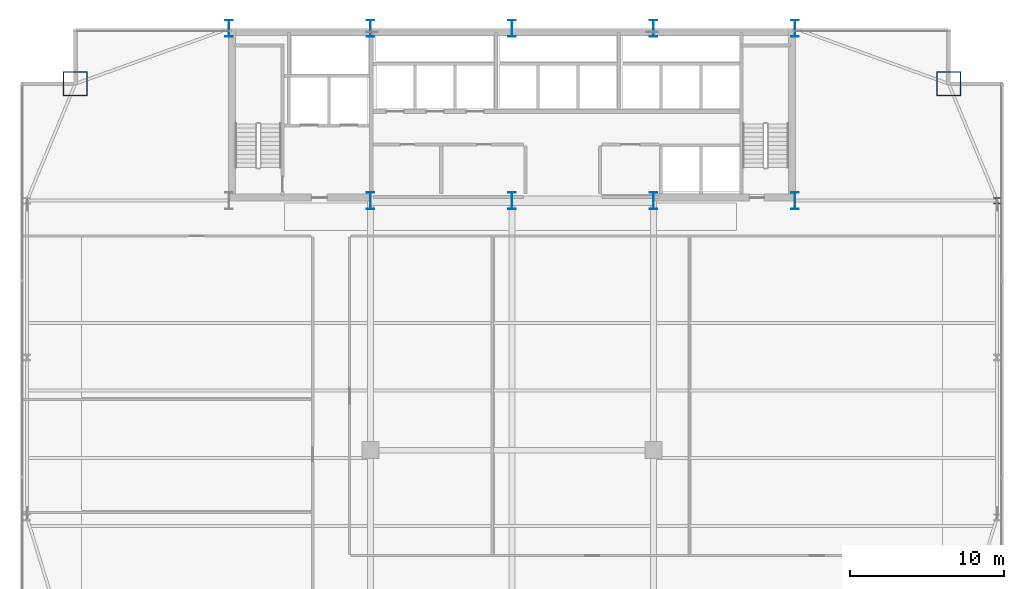
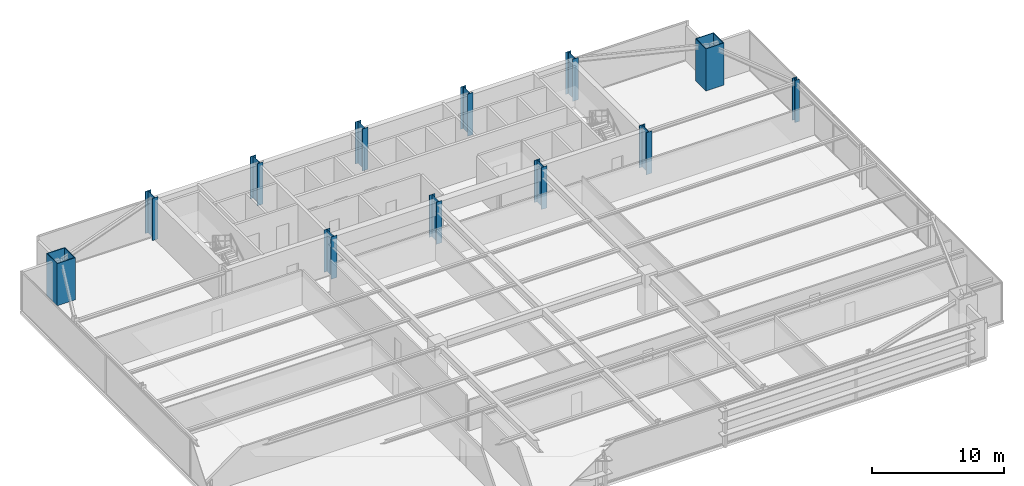
# One storey, part 2 of 32: 12 columns.
"""IFC4 building model written with IfcOpenShell, lengths in metres."""

from ifc_helpers import new_model, si_unit, direction, frame, origin, origin_2d, place, context, subcontext, project, spatial, hollow_rectangle, i_section, extrude, source, transform, mapped, material, material_profile, profile_set, type_object, type_shapes, element, save


model = new_model("IFC4")

# Units and contexts
model_context = context("Model", 3, precision=1e-05, world=origin(), true_north=direction((0.0, 1.0)))
body_context = subcontext(model_context, "Body", "Model", "MODEL_VIEW")
ifc_project = project(units=[si_unit("LENGTHUNIT", "METRE"), si_unit("AREAUNIT", "SQUARE_METRE"), si_unit("VOLUMEUNIT", "CUBIC_METRE"), si_unit("PLANEANGLEUNIT", "RADIAN"), si_unit("MASSUNIT", "GRAM", prefix="KILO")], contexts=[model_context])

# Site, building, storey
site_placement = place(None, origin())
site = spatial("IfcSite", under=ifc_project, at=site_placement, CompositionType="ELEMENT")
building_placement = place(site_placement, origin())
building = spatial("IfcBuilding", under=site, at=building_placement, Name="Varnel Quay Broadcast Tower", CompositionType="ELEMENT")
storey_placement = place(building_placement, frame((0.0, 0.0, 54.89990234375)))
storey = spatial("IfcBuildingStorey", under=building, at=storey_placement, Name="L12", CompositionType="ELEMENT", Elevation=54.89990234375)

# Columns
ifc_material_1 = material(Name="Structural Steel CSA G40.21 350WT", Category="steel")
ifc_material_profile_1 = material_profile(ifc_material_1, i_section(OverallWidth=0.5, OverallDepth=1.10009765625, WebThickness=0.01806640625, FlangeThickness=0.031982421875, FilletRadius=0.01806640625, at=origin_2d()), Name="WWF1100X418")
ifc_profile_set_1 = profile_set([ifc_material_profile_1], Name="Structural Steel CSA G40.21 350WT")
column_type_1 = type_object("IfcColumnType", Name="Col_WWF1100X418", PredefinedType="COLUMN", material=ifc_profile_set_1)
shared_shape_1 = source(origin(), body_context, "Body", "SweptSolid", [
    extrude(i_section(OverallWidth=0.5, OverallDepth=1.10009765625, WebThickness=0.01806640625, FlangeThickness=0.031982421875, FilletRadius=0.01806640625, at=origin_2d()), origin(), (0.0, 0.0, 1.0), 3.900146484375),
])
type_shapes(column_type_1, [shared_shape_1])
for number, where, z_axis, x_axis, name in (
    (1, (15.60009765625, 46.800048828125, 0.0), (0.0, 0.0, 1.0), (1.0, 0.0, 0.0), "L12 Column CC-N1"),
    (2, (24.800048828125, 35.60009765625, 0.0), (0.0, 0.0, 1.0), (1.0, 0.0, 0.0), "L12 Column CC-S2"),
    (3, (24.800048828125, 46.800048828125, 0.0), (0.0, 0.0, 1.0), (1.0, 0.0, 0.0), "L12 Column CC-N2"),
    (4, (34.0, 35.60009765625, 0.0), (0.0, 0.0, 1.0), (1.0, 0.0, 0.0), "L12 Column CC-S3"),
    (5, (34.0, 46.800048828125, 0.0), (0.0, 0.0, 1.0), (1.0, 0.0, 0.0), "L12 Column CC-N3"),
    (6, (43.199951171875, 35.60009765625, 0.0), (0.0, 0.0, 1.0), (1.0, 0.0, 0.0), "L12 Column CC-S4"),
    (7, (43.199951171875, 46.800048828125, 0.0), (0.0, 0.0, 1.0), (1.0, 0.0, 0.0), "L12 Column CC-N4"),
    (8, (52.39990234375, 35.60009765625, 0.0), (0.0, 0.0, 1.0), (1.0, 0.0, 0.0), "L12 Column CC-S5"),
    (9, (52.39990234375, 46.800048828125, 0.0), (0.0, 0.0, 1.0), (1.0, 0.0, 0.0), "L12 Column CC-N5"),
):
    element("IfcColumn", number, at=place(storey_placement, frame(where, z_axis=z_axis, x_axis=x_axis)), inside=storey, type_object=column_type_1, Name=name, PredefinedType="COLUMN", context=body_context, shape_type="MappedRepresentation", body=[
        mapped(shared_shape_1, transform((0.0, 0.0, 0.0), x_axis=(1.0, 0.0, 0.0), y_axis=(0.0, 1.0, 0.0), z_axis=(0.0, 0.0, 1.0), scale=1.0)),
    ])
ifc_material_profile_2 = material_profile(ifc_material_1, hollow_rectangle(XDim=1.60009765625, YDim=1.60009765625, WallThickness=0.06005859375, at=origin_2d()), Name="BOX1600X1600X60")
ifc_profile_set_2 = profile_set([ifc_material_profile_2], Name="Structural Steel CSA G40.21 350WT")
column_type_2 = type_object("IfcColumnType", Name="Col_BOX1600X1600X60", PredefinedType="COLUMN", material=ifc_profile_set_2)
shared_shape_2 = source(origin(), body_context, "Body", "SweptSolid", [
    extrude(hollow_rectangle(XDim=1.60009765625, YDim=1.60009765625, WallThickness=0.06005859375, at=origin_2d()), origin(), (0.0, 0.0, 1.0), 3.900146484375),
])
type_shapes(column_type_2, [shared_shape_2])
for number, where, z_axis, x_axis, name in (
    (10, (62.39990234375, 43.199951171875, 0.0), (0.0, 0.0, 1.0), (1.0, 0.0, 0.0), "L12 Column MC-NE"),
    (11, (5.60009765625, 43.199951171875, 0.0), (0.0, 0.0, 1.0), (1.0, 0.0, 0.0), "L12 Column MC-NW"),
):
    element("IfcColumn", number, at=place(storey_placement, frame(where, z_axis=z_axis, x_axis=x_axis)), inside=storey, type_object=column_type_2, Name=name, PredefinedType="COLUMN", context=body_context, shape_type="MappedRepresentation", body=[
        mapped(shared_shape_2, transform((0.0, 0.0, 0.0), x_axis=(1.0, 0.0, 0.0), y_axis=(0.0, 1.0, 0.0), z_axis=(0.0, 0.0, 1.0), scale=1.0)),
    ])
ifc_material_2 = material(Name="Structural Steel CSA G40.21 350W", Category="steel")
ifc_material_profile_3 = material_profile(ifc_material_2, i_section(OverallWidth=0.404052734375, OverallDepth=0.406982421875, WebThickness=0.027099609375, FlangeThickness=0.043701171875, FilletRadius=0.01806640625, at=origin_2d()), Name="W360X347")
ifc_profile_set_3 = profile_set([ifc_material_profile_3], Name="Structural Steel CSA G40.21 350W")
column_type_3 = type_object("IfcColumnType", Name="Col_W360X347", PredefinedType="COLUMN", material=ifc_profile_set_3)
shared_shape_3 = source(origin(), body_context, "Body", "SweptSolid", [
    extrude(i_section(OverallWidth=0.404052734375, OverallDepth=0.406982421875, WebThickness=0.027099609375, FlangeThickness=0.043701171875, FilletRadius=0.01806640625, at=origin_2d()), origin(), (0.0, 0.0, 1.0), 3.900146484375),
])
type_shapes(column_type_3, [shared_shape_3])
column_placement = place(storey_placement, frame((65.550048828125, 35.60009765625, 0.0), z_axis=(0.0, 0.0, 1.0), x_axis=(1.0, 0.0, 0.0)))
element("IfcColumn", 12, at=column_placement, inside=storey, type_object=column_type_3, Name="L12 Column TC-E3", PredefinedType="COLUMN", context=body_context, shape_type="MappedRepresentation", body=[
    mapped(shared_shape_3, transform((0.0, 0.0, 0.0), x_axis=(1.0, 0.0, 0.0), y_axis=(0.0, 1.0, 0.0), z_axis=(0.0, 0.0, 1.0), scale=1.0)),
])

save(model, "model.ifc")
